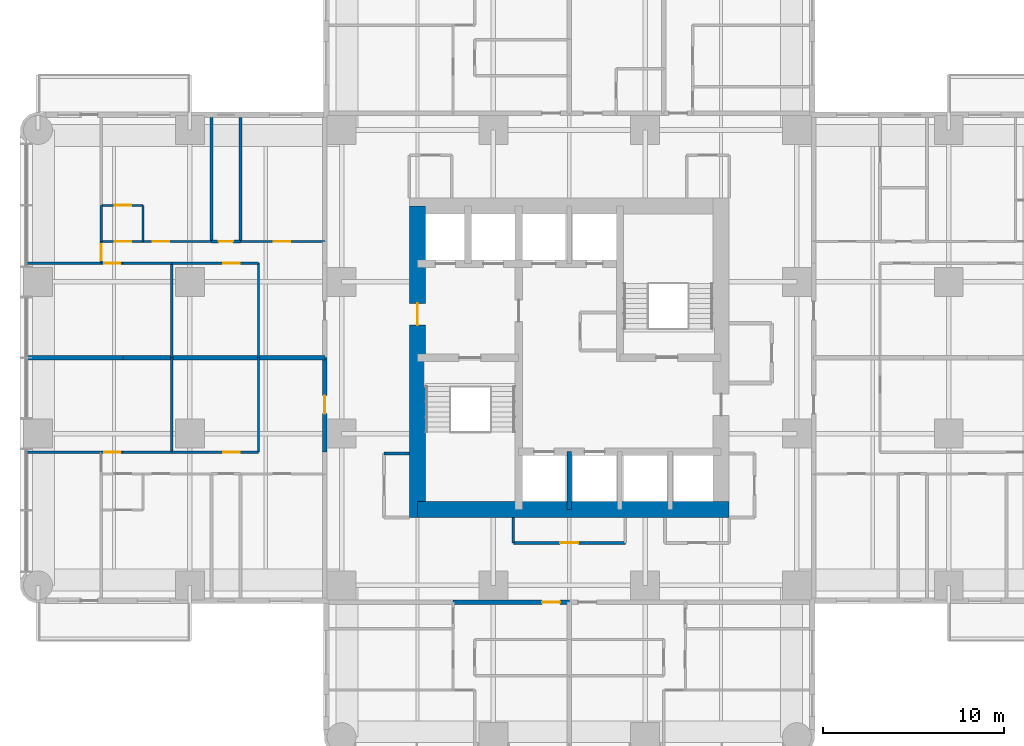
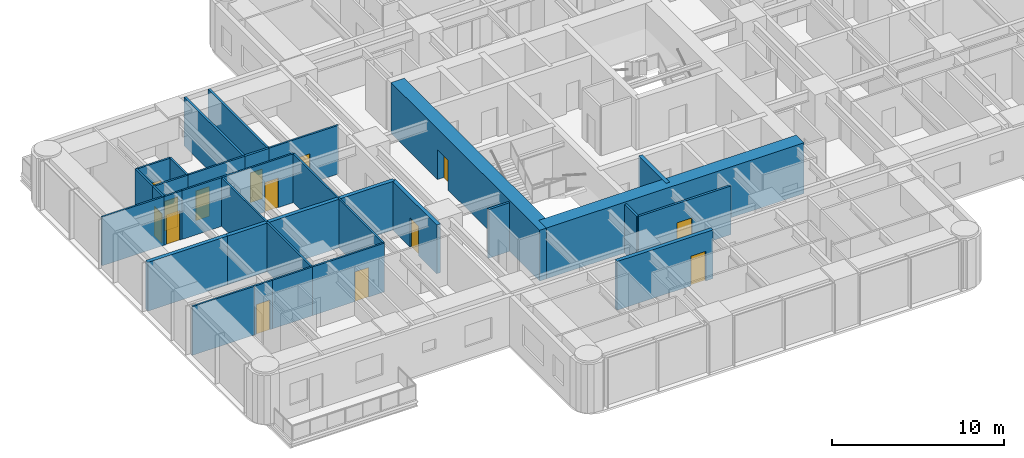
# One storey, part 7 of 15: 34 walls, 14 doors, 14 openings.
"""IFC4 building model written with IfcOpenShell, lengths in metres."""

from ifc_helpers import new_model, si_unit, direction, frame, frame_2d, origin, place, context, subcontext, project, spatial, rectangle, extrude, material, layer, layer_set, type_object, element, fill, save


model = new_model("IFC4")

# Units and contexts
model_context = context("Model", 3, precision=1e-05, world=origin(), true_north=direction((0.0, 1.0)))
body_context = subcontext(model_context, "Body", "Model", "MODEL_VIEW")
ifc_project = project(units=[si_unit("LENGTHUNIT", "METRE"), si_unit("AREAUNIT", "SQUARE_METRE"), si_unit("VOLUMEUNIT", "CUBIC_METRE"), si_unit("PLANEANGLEUNIT", "RADIAN"), si_unit("MASSUNIT", "GRAM", prefix="KILO")], contexts=[model_context])

# Site, building, storey
site_placement = place(None, origin())
site = spatial("IfcSite", under=ifc_project, at=site_placement, CompositionType="ELEMENT")
building_placement = place(site_placement, origin())
building = spatial("IfcBuilding", under=site, at=building_placement, Name="Torre Alcanfor", CompositionType="ELEMENT")
storey_placement = place(building_placement, frame((0.0, 0.0, 152.10009765625)))
storey = spatial("IfcBuildingStorey", under=building, at=storey_placement, Name="L39", CompositionType="ELEMENT", Elevation=152.10009765625)

# Wall, opening, door
ifc_material_1 = material(Name="Concrete block masonry, hollow blocks NMX-C-404 9 MPa", Category="masonry")
ifc_layer_1 = layer(ifc_material_1, 0.25)
ifc_layer_set_1 = layer_set([ifc_layer_1], Name="Apartment entrance wall 250 EI 60")
wall_type_1 = type_object("IfcWallType", Name="Apartment entrance wall 250 EI 60", PredefinedType="PARTITIONING", material=ifc_layer_set_1)
wall_1_placement = place(storey_placement, frame((29.39990234375, 15.875, 0.0), z_axis=(0.0, 0.0, 1.0), x_axis=(-1.0, 0.0, 0.0)))
wall_1 = element("IfcWall", 1, at=wall_1_placement, inside=storey, type_object=wall_type_1, Name="Partition L39-CORR / L39-S2-LIVING", PredefinedType="PARTITIONING", context=body_context, shape_type="SweptSolid", body=[
    extrude(rectangle(XDim=6.428955078125, YDim=0.25, at=frame_2d((3.21435546875, 0.0))), origin(), (0.0, 0.0, 1.0), 3.449951171875),
])
opening_1_placement = place(wall_1_placement, frame((0.5, 0.0, 0.0)))
opening_1 = element("IfcOpeningElement", 2, at=opening_1_placement, cuts=wall_1, Name="Opening D-A1", PredefinedType="OPENING", context=body_context, shape_type="SweptSolid", body=[
    extrude(rectangle(XDim=1.0, YDim=2.10009765625, at=frame_2d((0.5, 1.050048828125))), frame((0.0, 0.135009765625, 0.0), z_axis=(0.0, -1.0, 0.0), x_axis=(1.0, 0.0, 0.0)), (0.0, 0.0, 1.0), 0.27001953125),
])
ifc_material_2 = material(Name="Galvanised steel sheet ASTM A653", Category="steel")
door_type_1 = type_object("IfcDoorType", Name="Apartment entrance door FD60 1000x2100", OperationType="SINGLE_SWING_LEFT", PredefinedType="DOOR", material=ifc_material_2)
door_1_placement = place(opening_1_placement, origin())
door_1 = element("IfcDoor", 3, at=door_1_placement, inside=storey, type_object=door_type_1, Name="Apartment entrance L39-S2", OperationType="SINGLE_SWING_LEFT", OverallHeight=2.10009765625, OverallWidth=1.0, PredefinedType="DOOR", context=body_context, shape_type="SweptSolid", body=[
    extrude(rectangle(XDim=1.0, YDim=2.10009765625, at=frame_2d((0.5, 1.050048828125))), frame((0.0, 0.02490234375, 0.0), z_axis=(0.0, -1.0, 0.0), x_axis=(1.0, 0.0, 0.0)), (0.0, 0.0, 1.0), 0.050048828125),
])
fill(opening_1, door_1)

wall_2_placement = place(storey_placement, frame((15.875, 24.1708984375, 0.0), z_axis=(0.0, 0.0, 1.0), x_axis=(0.0, 1.0, 0.0)))
wall_2 = element("IfcWall", 4, at=wall_2_placement, inside=storey, type_object=wall_type_1, Name="Partition L39-CORR / L39-W1-ZAG", PredefinedType="PARTITIONING", context=body_context, shape_type="SweptSolid", body=[
    extrude(rectangle(XDim=5.22900390625, YDim=0.25, at=frame_2d((2.614501953125, 0.0))), origin(), (0.0, 0.0, 1.0), 3.449951171875),
])
opening_2_placement = place(wall_2_placement, frame((2.12890625, 0.0, 0.0)))
opening_2 = element("IfcOpeningElement", 5, at=opening_2_placement, cuts=wall_2, Name="Opening D-A1", PredefinedType="OPENING", context=body_context, shape_type="SweptSolid", body=[
    extrude(rectangle(XDim=1.0, YDim=2.10009765625, at=frame_2d((0.5, 1.050048828125))), frame((0.0, 0.135009765625, 0.0), z_axis=(0.0, -1.0, 0.0), x_axis=(1.0, 0.0, 0.0)), (0.0, 0.0, 1.0), 0.27001953125),
])
door_2_placement = place(opening_2_placement, origin())
door_2 = element("IfcDoor", 6, at=door_2_placement, inside=storey, type_object=door_type_1, Name="Apartment entrance L39-W1", OperationType="SINGLE_SWING_RIGHT", OverallHeight=2.10009765625, OverallWidth=1.0, PredefinedType="DOOR", context=body_context, shape_type="SweptSolid", body=[
    extrude(rectangle(XDim=1.0, YDim=2.10009765625, at=frame_2d((0.5, 1.050048828125))), frame((0.0, 0.02490234375, 0.0), z_axis=(0.0, -1.0, 0.0), x_axis=(1.0, 0.0, 0.0)), (0.0, 0.0, 1.0), 0.050048828125),
])
fill(opening_2, door_2)

# Walls
ifc_material_3 = material(Name="Gypsum board on steel studs", Category="steel")
ifc_layer_2 = layer(ifc_material_3, 0.1201171875)
ifc_layer_set_2 = layer_set([ifc_layer_2], Name="Apartment partition 120")
wall_type_2 = type_object("IfcWallType", Name="Apartment partition 120", PredefinedType="PARTITIONING", material=ifc_layer_set_2)
for number, where, z_axis, x_axis, name in (
    (7, (12.199951171875, 29.39990234375, 0.0), (0.0, 0.0, 1.0), (0.0, -1.0, 0.0), "Partition L39-W1-ZAG / L39-W1-FAMILY"),
    (8, (7.39990234375, 29.39990234375, 0.0), (0.0, 0.0, 1.0), (0.0, -1.0, 0.0), "Partition L39-W1-FAMILY / L39-W1-KITCHEN"),
):
    element("IfcWall", number, at=place(storey_placement, frame(where, z_axis=z_axis, x_axis=x_axis)), inside=storey, type_object=wall_type_2, Name=name, PredefinedType="PARTITIONING", context=body_context, shape_type="SweptSolid", body=[
        extrude(rectangle(XDim=5.22900390625, YDim=0.1201171875, at=frame_2d((2.614501953125, 0.0))), origin(), (0.0, 0.0, 1.0), 3.449951171875),
    ])

# Wall, opening, door
wall_3_placement = place(storey_placement, frame((7.39990234375, 24.1708984375, 0.0), z_axis=(0.0, 0.0, 1.0), x_axis=(1.0, 0.0, 0.0)))
wall_3 = element("IfcWall", 9, at=wall_3_placement, inside=storey, type_object=wall_type_2, Name="Partition L39-W1-FAMILY / L39-W1-HALL", PredefinedType="PARTITIONING", context=body_context, shape_type="SweptSolid", body=[
    extrude(rectangle(XDim=4.800048828125, YDim=0.1201171875, at=frame_2d((2.39990234375, 0.0))), origin(), (0.0, 0.0, 1.0), 3.449951171875),
])
opening_3_placement = place(wall_3_placement, frame((2.85009765625, 0.0, 0.0)))
opening_3 = element("IfcOpeningElement", 10, at=opening_3_placement, cuts=wall_3, Name="Opening D-R1", PredefinedType="OPENING", context=body_context, shape_type="SweptSolid", body=[
    extrude(rectangle(XDim=0.89990234375, YDim=2.10009765625, at=frame_2d((0.449951171875, 1.050048828125))), frame((0.0, 0.070068359375, 0.0), z_axis=(0.0, -1.0, 0.0), x_axis=(1.0, 0.0, 0.0)), (0.0, 0.0, 1.0), 0.14013671875),
])
ifc_material_4 = material(Name="Timber", Category="wood")
door_type_2 = type_object("IfcDoorType", Name="Internal door 900x2100", OperationType="SINGLE_SWING_LEFT", PredefinedType="DOOR", material=ifc_material_4)
door_3_placement = place(opening_3_placement, origin())
door_3 = element("IfcDoor", 11, at=door_3_placement, inside=storey, type_object=door_type_2, Name="Door L39-W1 family", OperationType="SINGLE_SWING_RIGHT", OverallHeight=2.10009765625, OverallWidth=0.89990234375, PredefinedType="DOOR", context=body_context, shape_type="SweptSolid", body=[
    extrude(rectangle(XDim=0.89990234375, YDim=2.10009765625, at=frame_2d((0.449951171875, 1.050048828125))), frame((0.0, 0.02490234375, 0.0), z_axis=(0.0, -1.0, 0.0), x_axis=(1.0, 0.0, 0.0)), (0.0, 0.0, 1.0), 0.050048828125),
])
fill(opening_3, door_3)

# Wall
wall_4_placement = place(storey_placement, frame((4.699951171875, 24.1708984375, 0.0), z_axis=(0.0, 0.0, 1.0), x_axis=(1.0, 0.0, 0.0)))
element("IfcWall", 12, at=wall_4_placement, inside=storey, type_object=wall_type_2, Name="Partition L39-W1-KITCHEN / L39-W1-HALL", PredefinedType="PARTITIONING", context=body_context, shape_type="SweptSolid", body=[
    extrude(rectangle(XDim=2.699951171875, YDim=0.1201171875, at=frame_2d((1.35009765625, 0.0))), origin(), (0.0, 0.0, 1.0), 3.449951171875),
])

# Wall, opening, door
wall_5_placement = place(storey_placement, frame((3.5, 24.1708984375, 0.0), z_axis=(0.0, 0.0, 1.0), x_axis=(1.0, 0.0, 0.0)))
wall_5 = element("IfcWall", 13, at=wall_5_placement, inside=storey, type_object=wall_type_2, Name="Partition L39-W1-LIVING / L39-W1-HALL", PredefinedType="PARTITIONING", context=body_context, shape_type="SweptSolid", body=[
    extrude(rectangle(XDim=1.199951171875, YDim=0.1201171875, at=frame_2d((0.60009765625, 0.0))), origin(), (0.0, 0.0, 1.0), 3.449951171875),
])
opening_4_placement = place(wall_5_placement, frame((0.14990234375, 0.0, 0.0)))
opening_4 = element("IfcOpeningElement", 14, at=opening_4_placement, cuts=wall_5, Name="Opening D-R1", PredefinedType="OPENING", context=body_context, shape_type="SweptSolid", body=[
    extrude(rectangle(XDim=0.89990234375, YDim=2.10009765625, at=frame_2d((0.449951171875, 1.050048828125))), frame((0.0, 0.070068359375, 0.0), z_axis=(0.0, -1.0, 0.0), x_axis=(1.0, 0.0, 0.0)), (0.0, 0.0, 1.0), 0.14013671875),
])
door_4_placement = place(opening_4_placement, origin())
door_4 = element("IfcDoor", 15, at=door_4_placement, inside=storey, type_object=door_type_2, Name="Door L39-W1 living", OperationType="SINGLE_SWING_RIGHT", OverallHeight=2.10009765625, OverallWidth=0.89990234375, PredefinedType="DOOR", context=body_context, shape_type="SweptSolid", body=[
    extrude(rectangle(XDim=0.89990234375, YDim=2.10009765625, at=frame_2d((0.449951171875, 1.050048828125))), frame((0.0, 0.02490234375, 0.0), z_axis=(0.0, -1.0, 0.0), x_axis=(1.0, 0.0, 0.0)), (0.0, 0.0, 1.0), 0.050048828125),
])
fill(opening_4, door_4)

# Walls
wall_6_placement = place(storey_placement, frame((-0.64990234375, 24.1708984375, 0.0), z_axis=(0.0, 0.0, 1.0), x_axis=(1.0, 0.0, 0.0)))
element("IfcWall", 16, at=wall_6_placement, inside=storey, type_object=wall_type_2, Name="Partition L39-W1-LIVING / L39-W1-WGARD", PredefinedType="PARTITIONING", context=body_context, shape_type="SweptSolid", body=[
    extrude(rectangle(XDim=4.14990234375, YDim=0.1201171875, at=frame_2d((2.074951171875, 0.0))), origin(), (0.0, 0.0, 1.0), 3.449951171875),
])
for number, where, z_axis, x_axis, name in (
    (17, (12.199951171875, 29.39990234375, 0.0), (0.0, 0.0, 1.0), (0.0, 1.0, 0.0), "Partition L39-W2-ZAG / L39-W2-FAMILY"),
    (18, (7.39990234375, 29.39990234375, 0.0), (0.0, 0.0, 1.0), (0.0, 1.0, 0.0), "Partition L39-W2-FAMILY / L39-W2-KITCHEN"),
):
    element("IfcWall", number, at=place(storey_placement, frame(where, z_axis=z_axis, x_axis=x_axis)), inside=storey, type_object=wall_type_2, Name=name, PredefinedType="PARTITIONING", context=body_context, shape_type="SweptSolid", body=[
        extrude(rectangle(XDim=5.22900390625, YDim=0.1201171875, at=frame_2d((2.614501953125, 0.0))), origin(), (0.0, 0.0, 1.0), 3.449951171875),
    ])

# Wall, opening, door
wall_7_placement = place(storey_placement, frame((7.39990234375, 34.62890625, 0.0), z_axis=(0.0, 0.0, 1.0), x_axis=(1.0, 0.0, 0.0)))
wall_7 = element("IfcWall", 19, at=wall_7_placement, inside=storey, type_object=wall_type_2, Name="Partition L39-W2-FAMILY / L39-W2-HALL", PredefinedType="PARTITIONING", context=body_context, shape_type="SweptSolid", body=[
    extrude(rectangle(XDim=4.800048828125, YDim=0.1201171875, at=frame_2d((2.39990234375, 0.0))), origin(), (0.0, 0.0, 1.0), 3.449951171875),
])
opening_5_placement = place(wall_7_placement, frame((2.85009765625, 0.0, 0.0)))
opening_5 = element("IfcOpeningElement", 20, at=opening_5_placement, cuts=wall_7, Name="Opening D-R1", PredefinedType="OPENING", context=body_context, shape_type="SweptSolid", body=[
    extrude(rectangle(XDim=0.89990234375, YDim=2.10009765625, at=frame_2d((0.449951171875, 1.050048828125))), frame((0.0, 0.070068359375, 0.0), z_axis=(0.0, -1.0, 0.0), x_axis=(1.0, 0.0, 0.0)), (0.0, 0.0, 1.0), 0.14013671875),
])
door_5_placement = place(opening_5_placement, frame((0.89990234375, 0.0, 0.0), z_axis=(0.0, 0.0, 1.0), x_axis=(-1.0, 0.0, 0.0)))
door_5 = element("IfcDoor", 21, at=door_5_placement, inside=storey, type_object=door_type_2, Name="Door L39-W2 family", OperationType="SINGLE_SWING_LEFT", OverallHeight=2.10009765625, OverallWidth=0.89990234375, PredefinedType="DOOR", context=body_context, shape_type="SweptSolid", body=[
    extrude(rectangle(XDim=0.89990234375, YDim=2.10009765625, at=frame_2d((0.449951171875, 1.050048828125))), frame((0.0, 0.025146484375, 0.0), z_axis=(0.0, -1.0, 0.0), x_axis=(1.0, 0.0, 0.0)), (0.0, 0.0, 1.0), 0.050048828125),
])
fill(opening_5, door_5)

# Wall
wall_8_placement = place(storey_placement, frame((4.699951171875, 34.62890625, 0.0), z_axis=(0.0, 0.0, 1.0), x_axis=(1.0, 0.0, 0.0)))
element("IfcWall", 22, at=wall_8_placement, inside=storey, type_object=wall_type_2, Name="Partition L39-W2-KITCHEN / L39-W2-HALL", PredefinedType="PARTITIONING", context=body_context, shape_type="SweptSolid", body=[
    extrude(rectangle(XDim=2.699951171875, YDim=0.1201171875, at=frame_2d((1.35009765625, 0.0))), origin(), (0.0, 0.0, 1.0), 3.449951171875),
])

# Wall, opening, door
wall_9_placement = place(storey_placement, frame((3.5, 34.62890625, 0.0), z_axis=(0.0, 0.0, 1.0), x_axis=(1.0, 0.0, 0.0)))
wall_9 = element("IfcWall", 23, at=wall_9_placement, inside=storey, type_object=wall_type_2, Name="Partition L39-W2-LIVING / L39-W2-HALL", PredefinedType="PARTITIONING", context=body_context, shape_type="SweptSolid", body=[
    extrude(rectangle(XDim=1.199951171875, YDim=0.1201171875, at=frame_2d((0.60009765625, 0.0))), origin(), (0.0, 0.0, 1.0), 3.449951171875),
])
opening_6_placement = place(wall_9_placement, frame((0.14990234375, 0.0, 0.0)))
opening_6 = element("IfcOpeningElement", 24, at=opening_6_placement, cuts=wall_9, Name="Opening D-R1", PredefinedType="OPENING", context=body_context, shape_type="SweptSolid", body=[
    extrude(rectangle(XDim=0.89990234375, YDim=2.10009765625, at=frame_2d((0.449951171875, 1.050048828125))), frame((0.0, 0.070068359375, 0.0), z_axis=(0.0, -1.0, 0.0), x_axis=(1.0, 0.0, 0.0)), (0.0, 0.0, 1.0), 0.14013671875),
])
door_6_placement = place(opening_6_placement, frame((0.89990234375, 0.0, 0.0), z_axis=(0.0, 0.0, 1.0), x_axis=(-1.0, 0.0, 0.0)))
door_6 = element("IfcDoor", 25, at=door_6_placement, inside=storey, type_object=door_type_2, Name="Door L39-W2 living", OperationType="SINGLE_SWING_LEFT", OverallHeight=2.10009765625, OverallWidth=0.89990234375, PredefinedType="DOOR", context=body_context, shape_type="SweptSolid", body=[
    extrude(rectangle(XDim=0.89990234375, YDim=2.10009765625, at=frame_2d((0.449951171875, 1.050048828125))), frame((0.0, 0.025146484375, 0.0), z_axis=(0.0, -1.0, 0.0), x_axis=(1.0, 0.0, 0.0)), (0.0, 0.0, 1.0), 0.050048828125),
])
fill(opening_6, door_6)

# Wall
wall_10_placement = place(storey_placement, frame((-0.64990234375, 34.62890625, 0.0), z_axis=(0.0, 0.0, 1.0), x_axis=(1.0, 0.0, 0.0)))
element("IfcWall", 26, at=wall_10_placement, inside=storey, type_object=wall_type_2, Name="Partition L39-W2-LIVING / L39-W2-WGARD", PredefinedType="PARTITIONING", context=body_context, shape_type="SweptSolid", body=[
    extrude(rectangle(XDim=4.14990234375, YDim=0.1201171875, at=frame_2d((2.074951171875, 0.0))), origin(), (0.0, 0.0, 1.0), 3.449951171875),
])

# Wall, opening, door
wall_11_placement = place(storey_placement, frame((11.199951171875, 35.8291015625, 0.0), z_axis=(0.0, 0.0, 1.0), x_axis=(1.0, 0.0, 0.0)))
wall_11 = element("IfcWall", 27, at=wall_11_placement, inside=storey, type_object=wall_type_2, Name="Partition L39-W2-HALL / L39-W2-BED2", PredefinedType="PARTITIONING", context=body_context, shape_type="SweptSolid", body=[
    extrude(rectangle(XDim=4.675048828125, YDim=0.1201171875, at=frame_2d((2.33740234375, 0.0))), origin(), (0.0, 0.0, 1.0), 3.449951171875),
])
opening_7_placement = place(wall_11_placement, frame((1.85009765625, 0.0, 0.0)))
opening_7 = element("IfcOpeningElement", 28, at=opening_7_placement, cuts=wall_11, Name="Opening D-R1", PredefinedType="OPENING", context=body_context, shape_type="SweptSolid", body=[
    extrude(rectangle(XDim=0.89990234375, YDim=2.10009765625, at=frame_2d((0.449951171875, 1.050048828125))), frame((0.0, 0.070068359375, 0.0), z_axis=(0.0, -1.0, 0.0), x_axis=(1.0, 0.0, 0.0)), (0.0, 0.0, 1.0), 0.14013671875),
])
door_7_placement = place(opening_7_placement, origin())
door_7 = element("IfcDoor", 29, at=door_7_placement, inside=storey, type_object=door_type_2, Name="Door L39-W2 bed2", OperationType="SINGLE_SWING_LEFT", OverallHeight=2.10009765625, OverallWidth=0.89990234375, PredefinedType="DOOR", context=body_context, shape_type="SweptSolid", body=[
    extrude(rectangle(XDim=0.89990234375, YDim=2.10009765625, at=frame_2d((0.449951171875, 1.050048828125))), frame((0.0, 0.02490234375, 0.0), z_axis=(0.0, -1.0, 0.0), x_axis=(1.0, 0.0, 0.0)), (0.0, 0.0, 1.0), 0.050048828125),
])
fill(opening_7, door_7)

wall_12_placement = place(storey_placement, frame((5.800048828125, 35.8291015625, 0.0), z_axis=(0.0, 0.0, 1.0), x_axis=(1.0, 0.0, 0.0)))
wall_12 = element("IfcWall", 30, at=wall_12_placement, inside=storey, type_object=wall_type_2, Name="Partition L39-W2-HALL / L39-W2-MASTER", PredefinedType="PARTITIONING", context=body_context, shape_type="SweptSolid", body=[
    extrude(rectangle(XDim=3.800048828125, YDim=0.1201171875, at=frame_2d((1.89990234375, 0.0))), origin(), (0.0, 0.0, 1.0), 3.449951171875),
])
opening_8_placement = place(wall_12_placement, frame((0.550048828125, 0.0, 0.0)))
opening_8 = element("IfcOpeningElement", 31, at=opening_8_placement, cuts=wall_12, Name="Opening D-R1", PredefinedType="OPENING", context=body_context, shape_type="SweptSolid", body=[
    extrude(rectangle(XDim=0.89990234375, YDim=2.10009765625, at=frame_2d((0.449951171875, 1.050048828125))), frame((0.0, 0.070068359375, 0.0), z_axis=(0.0, -1.0, 0.0), x_axis=(1.0, 0.0, 0.0)), (0.0, 0.0, 1.0), 0.14013671875),
])
door_8_placement = place(opening_8_placement, origin())
door_8 = element("IfcDoor", 32, at=door_8_placement, inside=storey, type_object=door_type_2, Name="Door L39-W2 master", OperationType="SINGLE_SWING_LEFT", OverallHeight=2.10009765625, OverallWidth=0.89990234375, PredefinedType="DOOR", context=body_context, shape_type="SweptSolid", body=[
    extrude(rectangle(XDim=0.89990234375, YDim=2.10009765625, at=frame_2d((0.449951171875, 1.050048828125))), frame((0.0, 0.02490234375, 0.0), z_axis=(0.0, -1.0, 0.0), x_axis=(1.0, 0.0, 0.0)), (0.0, 0.0, 1.0), 0.050048828125),
])
fill(opening_8, door_8)

wall_13_placement = place(storey_placement, frame((3.5, 35.8291015625, 0.0), z_axis=(0.0, 0.0, 1.0), x_axis=(1.0, 0.0, 0.0)))
wall_13 = element("IfcWall", 33, at=wall_13_placement, inside=storey, type_object=wall_type_2, Name="Partition L39-W2-HALL / L39-W2-VEST", PredefinedType="PARTITIONING", context=body_context, shape_type="SweptSolid", body=[
    extrude(rectangle(XDim=2.300048828125, YDim=0.1201171875, at=frame_2d((1.14990234375, 0.0))), origin(), (0.0, 0.0, 1.0), 3.449951171875),
])
opening_9_placement = place(wall_13_placement, frame((0.75, 0.0, 0.0)))
opening_9 = element("IfcOpeningElement", 34, at=opening_9_placement, cuts=wall_13, Name="Opening D-R1", PredefinedType="OPENING", context=body_context, shape_type="SweptSolid", body=[
    extrude(rectangle(XDim=0.89990234375, YDim=2.10009765625, at=frame_2d((0.449951171875, 1.050048828125))), frame((0.0, 0.070068359375, 0.0), z_axis=(0.0, -1.0, 0.0), x_axis=(1.0, 0.0, 0.0)), (0.0, 0.0, 1.0), 0.14013671875),
])
door_9_placement = place(opening_9_placement, origin())
door_9 = element("IfcDoor", 35, at=door_9_placement, inside=storey, type_object=door_type_2, Name="Door L39-W2 vest", OperationType="SINGLE_SWING_RIGHT", OverallHeight=2.10009765625, OverallWidth=0.89990234375, PredefinedType="DOOR", context=body_context, shape_type="SweptSolid", body=[
    extrude(rectangle(XDim=0.89990234375, YDim=2.10009765625, at=frame_2d((0.449951171875, 1.050048828125))), frame((0.0, 0.02490234375, 0.0), z_axis=(0.0, -1.0, 0.0), x_axis=(1.0, 0.0, 0.0)), (0.0, 0.0, 1.0), 0.050048828125),
])
fill(opening_9, door_9)

wall_14_placement = place(storey_placement, frame((3.5, 34.62890625, 0.0), z_axis=(0.0, 0.0, 1.0), x_axis=(0.0, 1.0, 0.0)))
wall_14 = element("IfcWall", 36, at=wall_14_placement, inside=storey, type_object=wall_type_2, Name="Partition L39-W2-HALL / L39-W2-WGARD", PredefinedType="PARTITIONING", context=body_context, shape_type="SweptSolid", body=[
    extrude(rectangle(XDim=1.2001953125, YDim=0.1201171875, at=frame_2d((0.60009765625, 0.0))), origin(), (0.0, 0.0, 1.0), 3.449951171875),
])
opening_10_placement = place(wall_14_placement, frame((0.15087890625, 0.0, 0.0)))
opening_10 = element("IfcOpeningElement", 37, at=opening_10_placement, cuts=wall_14, Name="Opening D-R1", PredefinedType="OPENING", context=body_context, shape_type="SweptSolid", body=[
    extrude(rectangle(XDim=0.89990234375, YDim=2.10009765625, at=frame_2d((0.449951171875, 1.050048828125))), frame((0.0, 0.070068359375, 0.0), z_axis=(0.0, -1.0, 0.0), x_axis=(1.0, 0.0, 0.0)), (0.0, 0.0, 1.0), 0.14013671875),
])
door_10_placement = place(opening_10_placement, origin())
door_10 = element("IfcDoor", 38, at=door_10_placement, inside=storey, type_object=door_type_2, Name="Door L39-W2 wgard", OperationType="SINGLE_SWING_LEFT", OverallHeight=2.10009765625, OverallWidth=0.89990234375, PredefinedType="DOOR", context=body_context, shape_type="SweptSolid", body=[
    extrude(rectangle(XDim=0.89990234375, YDim=2.10009765625, at=frame_2d((0.449951171875, 1.050048828125))), frame((0.0, 0.02490234375, 0.0), z_axis=(0.0, -1.0, 0.0), x_axis=(1.0, 0.0, 0.0)), (0.0, 0.0, 1.0), 0.050048828125),
])
fill(opening_10, door_10)

# Wall
wall_15_placement = place(storey_placement, frame((5.800048828125, 35.8291015625, 0.0), z_axis=(0.0, 0.0, 1.0), x_axis=(0.0, 1.0, 0.0)))
element("IfcWall", 39, at=wall_15_placement, inside=storey, type_object=wall_type_2, Name="Partition L39-W2-MASTER / L39-W2-VEST", PredefinedType="PARTITIONING", context=body_context, shape_type="SweptSolid", body=[
    extrude(rectangle(XDim=2.0, YDim=0.1201171875, at=frame_2d((1.0, 0.0))), origin(), (0.0, 0.0, 1.0), 3.449951171875),
])

# Wall, opening, door
wall_16_placement = place(storey_placement, frame((5.800048828125, 37.8291015625, 0.0), z_axis=(0.0, 0.0, 1.0), x_axis=(-1.0, 0.0, 0.0)))
wall_16 = element("IfcWall", 40, at=wall_16_placement, inside=storey, type_object=wall_type_2, Name="Partition L39-W2-MASTER / L39-W2-VEST", PredefinedType="PARTITIONING", context=body_context, shape_type="SweptSolid", body=[
    extrude(rectangle(XDim=2.300048828125, YDim=0.1201171875, at=frame_2d((1.14990234375, 0.0))), origin(), (0.0, 0.0, 1.0), 3.449951171875),
])
opening_11_placement = place(wall_16_placement, frame((0.64990234375, 0.0, 0.0)))
opening_11 = element("IfcOpeningElement", 41, at=opening_11_placement, cuts=wall_16, Name="Opening D-R1", PredefinedType="OPENING", context=body_context, shape_type="SweptSolid", body=[
    extrude(rectangle(XDim=0.89990234375, YDim=2.10009765625, at=frame_2d((0.449951171875, 1.050048828125))), frame((0.0, 0.070068359375, 0.0), z_axis=(0.0, -1.0, 0.0), x_axis=(1.0, 0.0, 0.0)), (0.0, 0.0, 1.0), 0.14013671875),
])
door_11_placement = place(opening_11_placement, origin())
door_11 = element("IfcDoor", 42, at=door_11_placement, inside=storey, type_object=door_type_2, Name="Door L39-W2 master", OperationType="SINGLE_SWING_LEFT", OverallHeight=2.10009765625, OverallWidth=0.89990234375, PredefinedType="DOOR", context=body_context, shape_type="SweptSolid", body=[
    extrude(rectangle(XDim=0.89990234375, YDim=2.10009765625, at=frame_2d((0.449951171875, 1.050048828125))), frame((0.0, 0.02490234375, 0.0), z_axis=(0.0, -1.0, 0.0), x_axis=(1.0, 0.0, 0.0)), (0.0, 0.0, 1.0), 0.050048828125),
])
fill(opening_11, door_11)

# Walls
wall_17_placement = place(storey_placement, frame((3.5, 35.8291015625, 0.0), z_axis=(0.0, 0.0, 1.0), x_axis=(0.0, 1.0, 0.0)))
element("IfcWall", 43, at=wall_17_placement, inside=storey, type_object=wall_type_2, Name="Partition L39-W2-VEST / L39-W2-WGARD", PredefinedType="PARTITIONING", context=body_context, shape_type="SweptSolid", body=[
    extrude(rectangle(XDim=2.0, YDim=0.1201171875, at=frame_2d((1.0, 0.0))), origin(), (0.0, 0.0, 1.0), 3.449951171875),
])
ifc_material_5 = material(Name="Concrete f'c 70 MPa", Category="concrete")
ifc_layer_3 = layer(ifc_material_5, 0.25)
ifc_layer_set_3 = layer_set([ifc_layer_3], Name="Core shaft wall 250 f'c70")
wall_type_3 = type_object("IfcWallType", Name="Core shaft wall 250 f'c70", PredefinedType="SHEAR", material=ifc_layer_set_3)
wall_18_placement = place(storey_placement, frame((29.39990234375, 21.0, 0.0), z_axis=(0.0, 0.0, 1.0), x_axis=(0.0, 1.0, 0.0)))
element("IfcWall", 44, at=wall_18_placement, inside=storey, type_object=wall_type_3, Name="Core wall X294S L39", PredefinedType="SHEAR", context=body_context, shape_type="SweptSolid", body=[
    extrude(rectangle(XDim=3.199951171875, YDim=0.25, at=frame_2d((1.60009765625, 0.0))), origin(), (0.0, 0.0, 1.0), 3.599853515625),
])
ifc_material_6 = material(Name="Concrete f'c 70 MPa", Category="concrete")
ifc_layer_4 = layer(ifc_material_6, 0.89990234375)
ifc_layer_set_4 = layer_set([ifc_layer_4], Name="Core wall 900 f'c70")
wall_type_4 = type_object("IfcWallType", Name="Core wall 900 f'c70", PredefinedType="SHEAR", material=ifc_layer_set_4)
wall_19_placement = place(storey_placement, frame((21.0, 21.0, 0.0), z_axis=(0.0, 0.0, 1.0), x_axis=(1.0, 0.0, 0.0)))
element("IfcWall", 45, at=wall_19_placement, inside=storey, type_object=wall_type_4, Name="Core wall OUT-S L39", PredefinedType="SHEAR", context=body_context, shape_type="SweptSolid", body=[
    extrude(rectangle(XDim=17.25, YDim=0.89990234375, at=frame_2d((8.625, 0.0))), origin(), (0.0, 0.0, 1.0), 3.599853515625),
])

# Wall, opening, door
wall_20_placement = place(storey_placement, frame((21.0, 37.800048828125, 0.0), z_axis=(0.0, 0.0, 1.0), x_axis=(0.0, -1.0, 0.0)))
wall_20 = element("IfcWall", 46, at=wall_20_placement, inside=storey, type_object=wall_type_4, Name="Core wall OUT-W L39", PredefinedType="SHEAR", context=body_context, shape_type="SweptSolid", body=[
    extrude(rectangle(XDim=17.25, YDim=0.89990234375, at=frame_2d((8.625, 0.0))), origin(), (0.0, 0.0, 1.0), 3.599853515625),
])
opening_12_placement = place(wall_20_placement, frame((5.39990234375, 0.0, 0.0)))
opening_12 = element("IfcOpeningElement", 47, at=opening_12_placement, cuts=wall_20, Name="Opening D-L1", PredefinedType="OPENING", context=body_context, shape_type="SweptSolid", body=[
    extrude(rectangle(XDim=1.199951171875, YDim=2.10009765625, at=frame_2d((0.60009765625, 1.050048828125))), frame((0.0, 0.4599609375, 0.0), z_axis=(0.0, -1.0, 0.0), x_axis=(1.0, 0.0, 0.0)), (0.0, 0.0, 1.0), 0.919921875),
])
ifc_material_7 = material(Name="Galvanised steel sheet ASTM A653", Category="steel")
door_type_3 = type_object("IfcDoorType", Name="Lobby door FD120 1200x2100", OperationType="SINGLE_SWING_LEFT", PredefinedType="DOOR", material=ifc_material_7)
door_12_placement = place(opening_12_placement, origin())
door_12 = element("IfcDoor", 48, at=door_12_placement, inside=storey, type_object=door_type_3, Name="Firefighting lobby door L39", OperationType="SINGLE_SWING_LEFT", OverallHeight=2.10009765625, OverallWidth=1.199951171875, PredefinedType="DOOR", context=body_context, shape_type="SweptSolid", body=[
    extrude(rectangle(XDim=1.199951171875, YDim=2.10009765625, at=frame_2d((0.60009765625, 1.050048828125))), frame((0.0, 0.02490234375, 0.0), z_axis=(0.0, -1.0, 0.0), x_axis=(1.0, 0.0, 0.0)), (0.0, 0.0, 1.0), 0.050048828125),
])
fill(opening_12, door_12)

# Walls
ifc_material_8 = material(Name="Concrete block masonry, hollow blocks NMX-C-404 9 MPa", Category="masonry")
ifc_layer_5 = layer(ifc_material_8, 0.25)
ifc_layer_set_5 = layer_set([ifc_layer_5], Name="Party wall 250 EI 60")
wall_type_5 = type_object("IfcWallType", Name="Party wall 250 EI 60", PredefinedType="PARTITIONING", material=ifc_layer_set_5)
wall_21_placement = place(storey_placement, frame((15.875, 29.39990234375, 0.0), z_axis=(0.0, 0.0, 1.0), x_axis=(-1.0, 0.0, 0.0)))
element("IfcWall", 49, at=wall_21_placement, inside=storey, type_object=wall_type_5, Name="Partition L39-W1-ZAG / L39-W2-ZAG", PredefinedType="PARTITIONING", context=body_context, shape_type="SweptSolid", body=[
    extrude(rectangle(XDim=3.675048828125, YDim=0.25, at=frame_2d((1.83740234375, 0.0))), origin(), (0.0, 0.0, 1.0), 3.449951171875),
])
wall_22_placement = place(storey_placement, frame((12.199951171875, 29.39990234375, 0.0), z_axis=(0.0, 0.0, 1.0), x_axis=(-1.0, 0.0, 0.0)))
element("IfcWall", 50, at=wall_22_placement, inside=storey, type_object=wall_type_5, Name="Partition L39-W1-FAMILY / L39-W2-FAMILY", PredefinedType="PARTITIONING", context=body_context, shape_type="SweptSolid", body=[
    extrude(rectangle(XDim=4.800048828125, YDim=0.25, at=frame_2d((2.39990234375, 0.0))), origin(), (0.0, 0.0, 1.0), 3.449951171875),
])
wall_23_placement = place(storey_placement, frame((7.39990234375, 29.39990234375, 0.0), z_axis=(0.0, 0.0, 1.0), x_axis=(-1.0, 0.0, 0.0)))
element("IfcWall", 51, at=wall_23_placement, inside=storey, type_object=wall_type_5, Name="Partition L39-W1-KITCHEN / L39-W2-KITCHEN", PredefinedType="PARTITIONING", context=body_context, shape_type="SweptSolid", body=[
    extrude(rectangle(XDim=2.699951171875, YDim=0.25, at=frame_2d((1.35009765625, 0.0))), origin(), (0.0, 0.0, 1.0), 3.449951171875),
])
wall_24_placement = place(storey_placement, frame((4.699951171875, 29.39990234375, 0.0), z_axis=(0.0, 0.0, 1.0), x_axis=(-1.0, 0.0, 0.0)))
element("IfcWall", 52, at=wall_24_placement, inside=storey, type_object=wall_type_5, Name="Partition L39-W1-LIVING / L39-W2-LIVING", PredefinedType="PARTITIONING", context=body_context, shape_type="SweptSolid", body=[
    extrude(rectangle(XDim=5.349853515625, YDim=0.25, at=frame_2d((2.6748046875, 0.0))), origin(), (0.0, 0.0, 1.0), 3.449951171875),
])
ifc_material_9 = material(Name="Concrete block masonry, hollow blocks NMX-C-404 9 MPa", Category="masonry")
ifc_layer_6 = layer(ifc_material_9, 0.14990234375)
ifc_layer_set_6 = layer_set([ifc_layer_6], Name="Residents' room partition 150")
wall_type_6 = type_object("IfcWallType", Name="Residents' room partition 150", PredefinedType="PARTITIONING", material=ifc_layer_set_6)
wall_25_placement = place(storey_placement, frame((26.300048828125, 20.550048828125, 0.0), z_axis=(0.0, 0.0, 1.0), x_axis=(0.0, -1.0, 0.0)))
element("IfcWall", 53, at=wall_25_placement, inside=storey, type_object=wall_type_6, Name="Partition L39-CORR / L39-G05", PredefinedType="PARTITIONING", context=body_context, shape_type="SweptSolid", body=[
    extrude(rectangle(XDim=1.400146484375, YDim=0.14990234375, at=frame_2d((0.7001953125, 0.0))), origin(), (0.0, 0.0, 1.0), 3.449951171875),
])

# Wall, opening, door
wall_26_placement = place(storey_placement, frame((26.300048828125, 19.14990234375, 0.0), z_axis=(0.0, 0.0, 1.0), x_axis=(1.0, 0.0, 0.0)))
wall_26 = element("IfcWall", 54, at=wall_26_placement, inside=storey, type_object=wall_type_6, Name="Partition L39-CORR / L39-G05", PredefinedType="PARTITIONING", context=body_context, shape_type="SweptSolid", body=[
    extrude(rectangle(XDim=6.199951171875, YDim=0.14990234375, at=frame_2d((3.10009765625, 0.0))), origin(), (0.0, 0.0, 1.0), 3.449951171875),
])
opening_13_placement = place(wall_26_placement, frame((2.60009765625, 0.0, 0.0)))
opening_13 = element("IfcOpeningElement", 55, at=opening_13_placement, cuts=wall_26, Name="Opening D-M1", PredefinedType="OPENING", context=body_context, shape_type="SweptSolid", body=[
    extrude(rectangle(XDim=1.0, YDim=2.10009765625, at=frame_2d((0.5, 1.050048828125))), frame((0.0, 0.0849609375, 0.0), z_axis=(0.0, -1.0, 0.0), x_axis=(1.0, 0.0, 0.0)), (0.0, 0.0, 1.0), 0.169921875),
])
ifc_material_10 = material(Name="Timber", Category="wood")
door_type_4 = type_object("IfcDoorType", Name="Residents' room door 1000x2100", OperationType="SINGLE_SWING_LEFT", PredefinedType="DOOR", material=ifc_material_10)
door_13_placement = place(opening_13_placement, origin())
door_13 = element("IfcDoor", 56, at=door_13_placement, inside=storey, type_object=door_type_4, Name="Door L39-G05 residents' storage lockers", OperationType="SINGLE_SWING_LEFT", OverallHeight=2.10009765625, OverallWidth=1.0, PredefinedType="DOOR", context=body_context, shape_type="SweptSolid", body=[
    extrude(rectangle(XDim=1.0, YDim=2.10009765625, at=frame_2d((0.5, 1.050048828125))), frame((0.0, 0.02490234375, 0.0), z_axis=(0.0, -1.0, 0.0), x_axis=(1.0, 0.0, 0.0)), (0.0, 0.0, 1.0), 0.050048828125),
])
fill(opening_13, door_13)

# Wall
wall_27_placement = place(storey_placement, frame((20.550048828125, 24.10009765625, 0.0), z_axis=(0.0, 0.0, 1.0), x_axis=(-1.0, 0.0, 0.0)))
element("IfcWall", 57, at=wall_27_placement, inside=storey, type_object=wall_type_6, Name="Partition L39-CORR / L39-G07", PredefinedType="PARTITIONING", context=body_context, shape_type="SweptSolid", body=[
    extrude(rectangle(XDim=1.400146484375, YDim=0.14990234375, at=frame_2d((0.7001953125, 0.0))), origin(), (0.0, 0.0, 1.0), 3.449951171875),
])

# Wall, opening, door
ifc_material_11 = material(Name="Cement board on steel studs", Category="steel")
ifc_layer_7 = layer(ifc_material_11, 0.14990234375)
ifc_layer_set_7 = layer_set([ifc_layer_7], Name="Wet area partition 150")
wall_type_7 = type_object("IfcWallType", Name="Wet area partition 150", PredefinedType="PARTITIONING", material=ifc_layer_set_7)
wall_28_placement = place(storey_placement, frame((9.60009765625, 35.8291015625, 0.0), z_axis=(0.0, 0.0, 1.0), x_axis=(1.0, 0.0, 0.0)))
wall_28 = element("IfcWall", 58, at=wall_28_placement, inside=storey, type_object=wall_type_7, Name="Partition L39-W2-HALL / L39-W2-BATH1", PredefinedType="PARTITIONING", context=body_context, shape_type="SweptSolid", body=[
    extrude(rectangle(XDim=1.599853515625, YDim=0.14990234375, at=frame_2d((0.7998046875, 0.0))), origin(), (0.0, 0.0, 1.0), 3.449951171875),
])
opening_14_placement = place(wall_28_placement, frame((0.39990234375, 0.0, 0.0)))
opening_14 = element("IfcOpeningElement", 59, at=opening_14_placement, cuts=wall_28, Name="Opening D-R2", PredefinedType="OPENING", context=body_context, shape_type="SweptSolid", body=[
    extrude(rectangle(XDim=0.800048828125, YDim=2.10009765625, at=frame_2d((0.39990234375, 1.050048828125))), frame((0.0, 0.0849609375, 0.0), z_axis=(0.0, -1.0, 0.0), x_axis=(1.0, 0.0, 0.0)), (0.0, 0.0, 1.0), 0.169921875),
])
ifc_material_12 = material(Name="Timber", Category="wood")
door_type_5 = type_object("IfcDoorType", Name="Bathroom door 800x2100", OperationType="SINGLE_SWING_LEFT", PredefinedType="DOOR", material=ifc_material_12)
door_14_placement = place(opening_14_placement, origin())
door_14 = element("IfcDoor", 60, at=door_14_placement, inside=storey, type_object=door_type_5, Name="Door L39-W2 bath1", OperationType="SINGLE_SWING_LEFT", OverallHeight=2.10009765625, OverallWidth=0.800048828125, PredefinedType="DOOR", context=body_context, shape_type="SweptSolid", body=[
    extrude(rectangle(XDim=0.800048828125, YDim=2.10009765625, at=frame_2d((0.39990234375, 1.050048828125))), frame((0.0, 0.02490234375, 0.0), z_axis=(0.0, -1.0, 0.0), x_axis=(1.0, 0.0, 0.0)), (0.0, 0.0, 1.0), 0.050048828125),
])
fill(opening_14, door_14)

# Walls
for number, where, z_axis, x_axis, name in (
    (61, (11.199951171875, 35.8291015625, 0.0), (0.0, 0.0, 1.0), (0.0, 1.0, 0.0), "Partition L39-W2-BED2 / L39-W2-BATH1"),
    (62, (9.60009765625, 35.8291015625, 0.0), (0.0, 0.0, 1.0), (0.0, 1.0, 0.0), "Partition L39-W2-BATH1 / L39-W2-MASTER"),
):
    element("IfcWall", number, at=place(storey_placement, frame(where, z_axis=z_axis, x_axis=x_axis)), inside=storey, type_object=wall_type_7, Name=name, PredefinedType="PARTITIONING", context=body_context, shape_type="SweptSolid", body=[
        extrude(rectangle(XDim=6.870849609375, YDim=0.14990234375, at=frame_2d((3.435546875, 0.0))), origin(), (0.0, 0.0, 1.0), 3.449951171875),
    ])

save(model, "model.ifc")
